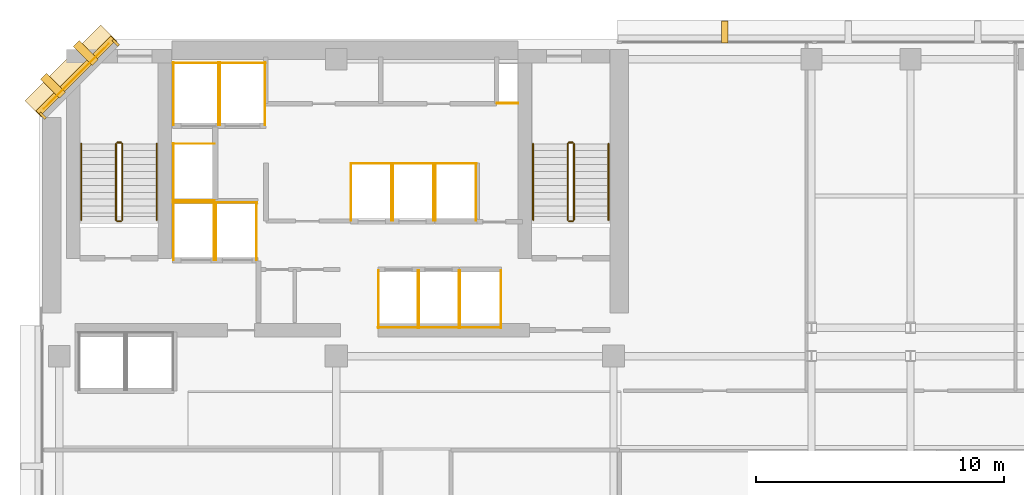
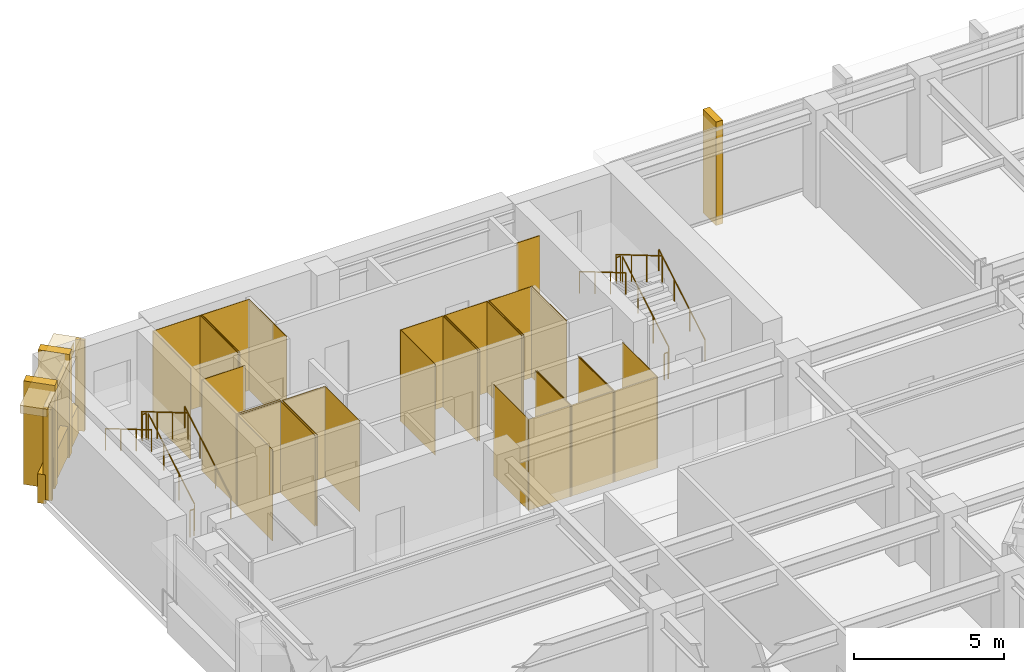
# One storey, part 10 of 11: 42 coverings, 12 railings.
"""IFC4 building model written with IfcOpenShell, lengths in metres."""

import ifcopenshell
import ifcopenshell.guid

model = None  # the IFC model being written
_history = None  # IfcOwnerHistory: only IFC2X3 demands one
_inside = {}  # id of a spatial element -> (the spatial element, [elements in it])
_under = {}  # id of a project, library or spatial element -> (it, [spatial elements below it])
_declared = {}  # id of a project -> (the project, [libraries it declares])
_typed = {}  # id of a type object -> (the type object, [elements of that type])
_made_of = {}  # id of a material, layer set ... -> (it, [elements and type objects made of it])


def new_model(schema):
    """Start an empty IFC model of exactly this schema.

    Asked for "IFC4X3", IfcOpenShell would pick the latest addendum, in which some entities
    have other attributes; the version numbers below select the first issue.
    IFC2X3 requires an IfcOwnerHistory on every rooted entity: one is made here for all.
    """
    global model, _history
    if schema == "IFC4X3":
        model = ifcopenshell.file(schema_version=(4, 3, 0, 0))
    else:
        model = ifcopenshell.file(schema=schema)
    _inside.clear()
    _under.clear()
    _declared.clear()
    _typed.clear()
    _made_of.clear()
    _history = None
    if model.schema == "IFC2X3":
        org = make("IfcOrganization", Name="unknown")
        user = make(
            "IfcPersonAndOrganization",
            ThePerson=make("IfcPerson", FamilyName="unknown"),
            TheOrganization=org,
        )
        app = make(
            "IfcApplication",
            ApplicationDeveloper=org,
            Version="unknown",
            ApplicationFullName="unknown",
            ApplicationIdentifier="unknown",
        )
        _history = make(
            "IfcOwnerHistory",
            OwningUser=user,
            OwningApplication=app,
            ChangeAction="ADDED",
            CreationDate=0,
        )
    return model


def make(cls, **values):
    """One entity of the class cls with the attributes given. An attribute that is None is left unset."""
    return model.create_entity(
        cls, **{name: value for name, value in values.items() if value is not None}
    )


def rooted(cls, **values):
    """An entity with a GlobalId (a new one), such as an element, a storey or a relation."""
    return make(cls, GlobalId=ifcopenshell.guid.new(), OwnerHistory=_history, **values)


def si_unit(unit_type, name, prefix=None):
    """IfcSIUnit, for example si_unit("LENGTHUNIT", "METRE", prefix="MILLI")."""
    return make("IfcSIUnit", UnitType=unit_type, Prefix=prefix, Name=name)


def assignment(units):
    """IfcUnitAssignment: the units of a project."""
    return None if units is None else make("IfcUnitAssignment", Units=units)


def point(xyz):
    """IfcCartesianPoint."""
    return None if xyz is None else make("IfcCartesianPoint", Coordinates=xyz)


def direction(xyz):
    """IfcDirection."""
    return None if xyz is None else make("IfcDirection", DirectionRatios=xyz)


def frame(location, z_axis=None, x_axis=None):
    """IfcAxis2Placement3D, a coordinate frame: its origin and axes. An axis left out is left unset."""
    return make(
        "IfcAxis2Placement3D",
        Location=point(location),
        Axis=direction(z_axis),
        RefDirection=direction(x_axis),
    )


def frame_2d(location, x_axis=None):
    """IfcAxis2Placement2D, a coordinate frame in the plane: its origin and x axis."""
    return make(
        "IfcAxis2Placement2D", Location=point(location), RefDirection=direction(x_axis)
    )


def origin():
    """The frame at (0, 0, 0) with its axes left unset."""
    return frame((0.0, 0.0, 0.0))


def origin_2d():
    """The frame at (0, 0) in the plane with its x axis left unset."""
    return frame_2d((0.0, 0.0))


def place(relative_to, where):
    """IfcLocalPlacement: puts the frame where relative to a parent placement (None: the world)."""
    return make(
        "IfcLocalPlacement", PlacementRelTo=relative_to, RelativePlacement=where
    )


def context(
    kind, dimensions, precision=None, world=None, true_north=None, identifier=None
):
    """IfcGeometricRepresentationContext, for example the 3D "Model" context."""
    return make(
        "IfcGeometricRepresentationContext",
        ContextIdentifier=identifier,
        ContextType=kind,
        CoordinateSpaceDimension=dimensions,
        Precision=precision,
        WorldCoordinateSystem=world,
        TrueNorth=true_north,
    )


def subcontext(parent, identifier, kind, view, scale=None):
    """IfcGeometricRepresentationSubContext, for example "Body" below "Model"."""
    return make(
        "IfcGeometricRepresentationSubContext",
        ContextIdentifier=identifier,
        ContextType=kind,
        ParentContext=parent,
        TargetScale=scale,
        TargetView=view,
    )


def project(units=None, contexts=None):
    """IfcProject with its units and contexts."""
    return rooted(
        "IfcProject",
        Name="project",
        RepresentationContexts=contexts,
        UnitsInContext=assignment(units),
    )


def spatial(cls, under=None, at=None, **own):
    """A site, building, storey or space (cls), placed at a placement, below another one or the project."""
    s = rooted(cls, ObjectPlacement=at, **own)
    if under is not None:
        _under.setdefault(under.id(), (under, []))[1].append(s)
    return s


def polyline(points):
    """IfcPolyline through the points."""
    return make("IfcPolyline", Points=[point(p) for p in points])


def profile(cls, at=None, kind="AREA", **sizes):
    """A parametric profile (cls). Its sizes go by their IFC names, for example OverallWidth=200.0."""
    return make(cls, ProfileType=kind, Position=at, **sizes)


def rectangle(**sizes):
    """IfcRectangleProfileDef."""
    return profile("IfcRectangleProfileDef", **sizes)


def circle(**sizes):
    """IfcCircleProfileDef."""
    return profile("IfcCircleProfileDef", **sizes)


def outline(outer, holes=None, kind="AREA"):
    """IfcArbitraryClosedProfileDef: a profile drawn as a closed curve; with holes, ...WithVoids."""
    if holes is None:
        return make("IfcArbitraryClosedProfileDef", ProfileType=kind, OuterCurve=outer)
    return make(
        "IfcArbitraryProfileDefWithVoids",
        ProfileType=kind,
        OuterCurve=outer,
        InnerCurves=holes,
    )


def extrude(swept, where, along, depth):
    """IfcExtrudedAreaSolid: the profile swept, set in the frame where, extruded along a direction by depth."""
    return make(
        "IfcExtrudedAreaSolid",
        SweptArea=swept,
        Position=where,
        ExtrudedDirection=direction(along),
        Depth=depth,
    )


def shape(context_of_items, identifier, shape_type, items):
    """IfcShapeRepresentation: the items that make up one representation, for example the "Body"."""
    return make(
        "IfcShapeRepresentation",
        ContextOfItems=context_of_items,
        RepresentationIdentifier=identifier,
        RepresentationType=shape_type,
        Items=items,
    )


def material(Name=None, Category=None):
    """IfcMaterial."""
    return make("IfcMaterial", Name=Name, Category=Category)


def layer(
    of_material, thickness, ventilated=None, Name=None, Category=None, Priority=None
):
    """IfcMaterialLayer: one layer of a wall or slab, of a material (None: an air gap)."""
    return make(
        "IfcMaterialLayer",
        Material=of_material,
        LayerThickness=thickness,
        IsVentilated=ventilated,
        Name=Name,
        Category=Category,
        Priority=Priority,
    )


def layer_set(layers, Name=None):
    """IfcMaterialLayerSet."""
    return make("IfcMaterialLayerSet", MaterialLayers=layers, LayerSetName=Name)


def made_of(thing, what):
    """Note that an element or type object is made of a material, layer set ...; save() writes the relation."""
    if what is not None:
        _made_of.setdefault(what.id(), (what, []))[1].append(thing)
    return thing


def type_object(cls, material=None, **own):
    """A type object (cls), such as IfcWallType, which elements share."""
    return made_of(rooted(cls, **own), material)


def element(
    cls,
    number,
    at=None,
    inside=None,
    cuts=None,
    type_object=None,
    material=None,
    context=None,
    identifier="Body",
    shape_type=None,
    held_by="IfcProductDefinitionShape",
    body=None,
    shapes=None,
    **own,
):
    """One element of the class cls, such as IfcWall. Its Tag is "e" and its number.

    at: its placement. inside: the storey or other place that contains it. cuts: it is an
    opening in that element (IfcRelVoidsElement). A single representation is given by context,
    identifier, shape_type and body (its items); several are given by shapes. held_by: the class
    of the entity that holds the representations. save() writes the other relations.
    """
    e = rooted(cls, Tag="e%d" % number, ObjectPlacement=at, **own)
    if body is not None:
        shapes = [shape(context, identifier, shape_type, body)]
    if shapes is not None:
        e.Representation = make(held_by, Representations=shapes)
    if inside is not None:
        _inside.setdefault(inside.id(), (inside, []))[1].append(e)
    if cuts is not None:
        rooted(
            "IfcRelVoidsElement", RelatingBuildingElement=cuts, RelatedOpeningElement=e
        )
    if type_object is not None:
        _typed.setdefault(type_object.id(), (type_object, []))[1].append(e)
    return made_of(e, material)


def aggregate(whole, parts):
    """IfcRelAggregates: a whole, such as a stair, and the parts it consists of."""
    return rooted("IfcRelAggregates", RelatingObject=whole, RelatedObjects=parts)


def save(model, path):
    """Write the relations noted so far, then the file.

    IfcRelAggregates (storeys below a building ...), IfcRelContainedInSpatialStructure (elements
    in a storey), IfcRelDefinesByType, IfcRelAssociatesMaterial and IfcRelDeclares: one each for
    every whole, place, type object, material and project.
    """
    for whole, parts in _under.values():
        aggregate(whole, parts)
    for where, things in _inside.values():
        rooted(
            "IfcRelContainedInSpatialStructure",
            RelatedElements=things,
            RelatingStructure=where,
        )
    for kind, things in _typed.values():
        rooted("IfcRelDefinesByType", RelatedObjects=things, RelatingType=kind)
    for what, things in _made_of.values():
        rooted("IfcRelAssociatesMaterial", RelatedObjects=things, RelatingMaterial=what)
    for by, libraries in _declared.values():
        rooted("IfcRelDeclares", RelatingContext=by, RelatedDefinitions=libraries)
    model.write(path)


model = new_model("IFC4")

# Units and contexts
model_context = context("Model", 3, precision=1e-05, world=origin(), true_north=direction((0.0, 1.0)))
body_context = subcontext(model_context, "Body", "Model", "MODEL_VIEW")
ifc_project = project(units=[si_unit("LENGTHUNIT", "METRE"), si_unit("AREAUNIT", "SQUARE_METRE"), si_unit("VOLUMEUNIT", "CUBIC_METRE"), si_unit("PLANEANGLEUNIT", "RADIAN"), si_unit("MASSUNIT", "GRAM", prefix="KILO")], contexts=[model_context])

# Site, building, storey
site_placement = place(None, origin())
site = spatial("IfcSite", under=ifc_project, at=site_placement, CompositionType="ELEMENT")
building_placement = place(site_placement, origin())
building = spatial("IfcBuilding", under=site, at=building_placement, Name="Kefirva Bronze Tower", CompositionType="ELEMENT")
storey_placement = place(building_placement, frame((0.0, 0.0, 162.68994140625)))
storey = spatial("IfcBuildingStorey", under=building, at=storey_placement, Name="L39", CompositionType="ELEMENT", Elevation=162.68994140625)

# Coverings
ifc_material_1 = material(Name="Bronze anodised aluminium", Category="aluminium")
ifc_layer_1 = layer(ifc_material_1, 0.02001953125, Name="Bronze anodised aluminium")
ifc_layer_set_1 = layer_set([ifc_layer_1], Name="Bronze anodised aluminium")
covering_type_1 = type_object("IfcCoveringType", Name="Anodised Bronze Spandrel Cladding 20mm", PredefinedType="CLADDING", material=ifc_layer_set_1)
covering_1_placement = place(storey_placement, frame((1.492919921875, 44.507080078125, 3.2900390625), z_axis=(0.0, 0.0, 1.0), x_axis=(-0.707106781187, -0.707106781187, 0.0)))
element("IfcCovering", 1, at=covering_1_placement, inside=storey, type_object=covering_type_1, Name="L39 Bronze Spandrel Cladding 8", PredefinedType="CLADDING", context=body_context, shape_type="SweptSolid", body=[
    extrude(rectangle(XDim=3.719482421875, YDim=0.02001953125, at=origin_2d()), origin(), (0.0, 0.0, 1.0), 0.39990234375),
])
for number, where, z_axis, x_axis, name in (
    (2, (3.08837890625, 45.862060546875, 0.0), (0.0, 0.0, 1.0), (-0.707106781187, -0.707106781187, 0.0), "L39 Facade Joint Closure Panel 8S"),
    (3, (0.137939453125, 42.91162109375, 0.0), (0.0, 0.0, 1.0), (-0.707106781187, -0.707106781187, 0.0), "L39 Facade Joint Closure Panel 8E"),
):
    element("IfcCovering", number, at=place(storey_placement, frame(where, z_axis=z_axis, x_axis=x_axis)), inside=storey, type_object=covering_type_1, Name=name, PredefinedType="CLADDING", context=body_context, shape_type="SweptSolid", body=[
        extrude(rectangle(XDim=0.10009765625, YDim=0.320068359375, at=origin_2d()), origin(), (0.0, 0.0, 1.0), 3.7099609375),
    ])
covering_2_placement = place(storey_placement, frame((1.4716796875, 44.5283203125, -0.15966796875), z_axis=(0.0, 0.0, 1.0), x_axis=(-0.707106781187, -0.707106781187, 0.0)))
element("IfcCovering", 4, at=covering_2_placement, inside=storey, type_object=covering_type_1, Name="L39 Streamline Horizontal Spandrel Band 13", PredefinedType="CLADDING", context=body_context, shape_type="SweptSolid", body=[
    extrude(rectangle(XDim=4.28271484375, YDim=0.280029296875, at=origin_2d()), origin(), (0.0, 0.0, 1.0), 1.179931640625),
])
covering_3_placement = place(storey_placement, origin())
element("IfcCovering", 5, at=covering_3_placement, inside=storey, type_object=covering_type_1, Name="L39 Lift FF1 Hoistway Liner N", PredefinedType="CLADDING", context=body_context, shape_type="SweptSolid", body=[
    extrude(outline(polyline([(5.39990234375, 39.389892578125), (7.080078125, 39.389892578125), (7.080078125, 39.409912109375), (5.39990234375, 39.409912109375), (5.39990234375, 39.389892578125)])), origin(), (0.0, 0.0, 1.0), 3.7099609375),
])
covering_4_placement = place(storey_placement, origin())
element("IfcCovering", 6, at=covering_4_placement, inside=storey, type_object=covering_type_1, Name="L39 Lift FF1 Hoistway Liner W", PredefinedType="CLADDING", context=body_context, shape_type="SweptSolid", body=[
    extrude(outline(polyline([(5.409912109375, 37.080078125), (5.429931640625, 37.080078125), (5.429931640625, 39.419921875), (5.409912109375, 39.419921875), (5.409912109375, 37.080078125)])), origin(), (0.0, 0.0, 1.0), 3.7099609375),
])
covering_5_placement = place(storey_placement, origin())
element("IfcCovering", 7, at=covering_5_placement, inside=storey, type_object=covering_type_1, Name="L39 Lift FF1 Hoistway Liner E", PredefinedType="CLADDING", context=body_context, shape_type="SweptSolid", body=[
    extrude(outline(polyline([(7.050048828125, 37.080078125), (7.070068359375, 37.080078125), (7.070068359375, 39.419921875), (7.050048828125, 39.419921875), (7.050048828125, 37.080078125)])), origin(), (0.0, 0.0, 1.0), 3.7099609375),
])
covering_6_placement = place(storey_placement, origin())
element("IfcCovering", 8, at=covering_6_placement, inside=storey, type_object=covering_type_1, Name="L39 Lift FF2 Hoistway Liner N", PredefinedType="CLADDING", context=body_context, shape_type="SweptSolid", body=[
    extrude(outline(polyline([(7.1201171875, 39.389892578125), (8.800048828125, 39.389892578125), (8.800048828125, 39.409912109375), (7.1201171875, 39.409912109375), (7.1201171875, 39.389892578125)])), origin(), (0.0, 0.0, 1.0), 3.7099609375),
])
covering_7_placement = place(storey_placement, origin())
element("IfcCovering", 9, at=covering_7_placement, inside=storey, type_object=covering_type_1, Name="L39 Lift FF2 Hoistway Liner W", PredefinedType="CLADDING", context=body_context, shape_type="SweptSolid", body=[
    extrude(outline(polyline([(7.1298828125, 37.080078125), (7.14990234375, 37.080078125), (7.14990234375, 39.419921875), (7.1298828125, 39.419921875), (7.1298828125, 37.080078125)])), origin(), (0.0, 0.0, 1.0), 3.7099609375),
])
covering_8_placement = place(storey_placement, origin())
element("IfcCovering", 10, at=covering_8_placement, inside=storey, type_object=covering_type_1, Name="L39 Lift FF2 Hoistway Liner E", PredefinedType="CLADDING", context=body_context, shape_type="SweptSolid", body=[
    extrude(outline(polyline([(8.77001953125, 37.080078125), (8.7900390625, 37.080078125), (8.7900390625, 39.419921875), (8.77001953125, 39.419921875), (8.77001953125, 37.080078125)])), origin(), (0.0, 0.0, 1.0), 3.7099609375),
])
covering_9_placement = place(storey_placement, origin())
element("IfcCovering", 11, at=covering_9_placement, inside=storey, type_object=covering_type_1, Name="L39 Lift SV1 Hoistway Liner N", PredefinedType="CLADDING", context=body_context, shape_type="SweptSolid", body=[
    extrude(outline(polyline([(5.39990234375, 45.0400390625), (7.260009765625, 45.0400390625), (7.260009765625, 45.06005859375), (5.39990234375, 45.06005859375), (5.39990234375, 45.0400390625)])), origin(), (0.0, 0.0, 1.0), 3.7099609375),
])
covering_10_placement = place(storey_placement, origin())
element("IfcCovering", 12, at=covering_10_placement, inside=storey, type_object=covering_type_1, Name="L39 Lift SV1 Hoistway Liner W", PredefinedType="CLADDING", context=body_context, shape_type="SweptSolid", body=[
    extrude(outline(polyline([(5.409912109375, 42.530029296875), (5.429931640625, 42.530029296875), (5.429931640625, 45.070068359375), (5.409912109375, 45.070068359375), (5.409912109375, 42.530029296875)])), origin(), (0.0, 0.0, 1.0), 3.7099609375),
])
covering_11_placement = place(storey_placement, origin())
element("IfcCovering", 13, at=covering_11_placement, inside=storey, type_object=covering_type_1, Name="L39 Lift SV1 Hoistway Liner E", PredefinedType="CLADDING", context=body_context, shape_type="SweptSolid", body=[
    extrude(outline(polyline([(7.22998046875, 42.530029296875), (7.25, 42.530029296875), (7.25, 45.070068359375), (7.22998046875, 45.070068359375), (7.22998046875, 42.530029296875)])), origin(), (0.0, 0.0, 1.0), 3.7099609375),
])
covering_12_placement = place(storey_placement, origin())
element("IfcCovering", 14, at=covering_12_placement, inside=storey, type_object=covering_type_1, Name="L39 Lift SV2 Hoistway Liner N", PredefinedType="CLADDING", context=body_context, shape_type="SweptSolid", body=[
    extrude(outline(polyline([(7.280029296875, 45.0400390625), (9.139892578125, 45.0400390625), (9.139892578125, 45.06005859375), (7.280029296875, 45.06005859375), (7.280029296875, 45.0400390625)])), origin(), (0.0, 0.0, 1.0), 3.7099609375),
])
covering_13_placement = place(storey_placement, origin())
element("IfcCovering", 15, at=covering_13_placement, inside=storey, type_object=covering_type_1, Name="L39 Lift SV2 Hoistway Liner W", PredefinedType="CLADDING", context=body_context, shape_type="SweptSolid", body=[
    extrude(outline(polyline([(7.2900390625, 42.530029296875), (7.31005859375, 42.530029296875), (7.31005859375, 45.070068359375), (7.2900390625, 45.070068359375), (7.2900390625, 42.530029296875)])), origin(), (0.0, 0.0, 1.0), 3.7099609375),
])
covering_14_placement = place(storey_placement, origin())
element("IfcCovering", 16, at=covering_14_placement, inside=storey, type_object=covering_type_1, Name="L39 Lift SV2 Hoistway Liner E", PredefinedType="CLADDING", context=body_context, shape_type="SweptSolid", body=[
    extrude(outline(polyline([(9.110107421875, 42.530029296875), (9.1298828125, 42.530029296875), (9.1298828125, 45.070068359375), (9.110107421875, 45.070068359375), (9.110107421875, 42.530029296875)])), origin(), (0.0, 0.0, 1.0), 3.7099609375),
])
covering_15_placement = place(storey_placement, origin())
element("IfcCovering", 17, at=covering_15_placement, inside=storey, type_object=covering_type_1, Name="L39 Lift MP1 Hoistway Liner S", PredefinedType="CLADDING", context=body_context, shape_type="SweptSolid", body=[
    extrude(outline(polyline([(13.679931640625, 34.340087890625), (15.320068359375, 34.340087890625), (15.320068359375, 34.360107421875), (13.679931640625, 34.360107421875), (13.679931640625, 34.340087890625)])), origin(), (0.0, 0.0, 1.0), 3.7099609375),
])
covering_16_placement = place(storey_placement, origin())
element("IfcCovering", 18, at=covering_16_placement, inside=storey, type_object=covering_type_1, Name="L39 Lift MP1 Hoistway Liner W", PredefinedType="CLADDING", context=body_context, shape_type="SweptSolid", body=[
    extrude(outline(polyline([(13.68994140625, 34.330078125), (13.7099609375, 34.330078125), (13.7099609375, 36.669921875), (13.68994140625, 36.669921875), (13.68994140625, 34.330078125)])), origin(), (0.0, 0.0, 1.0), 3.7099609375),
])
covering_17_placement = place(storey_placement, origin())
element("IfcCovering", 19, at=covering_17_placement, inside=storey, type_object=covering_type_1, Name="L39 Lift MP1 Hoistway Liner E", PredefinedType="CLADDING", context=body_context, shape_type="SweptSolid", body=[
    extrude(outline(polyline([(15.2900390625, 34.330078125), (15.31005859375, 34.330078125), (15.31005859375, 36.669921875), (15.2900390625, 36.669921875), (15.2900390625, 34.330078125)])), origin(), (0.0, 0.0, 1.0), 3.7099609375),
])
covering_18_placement = place(storey_placement, origin())
element("IfcCovering", 20, at=covering_18_placement, inside=storey, type_object=covering_type_1, Name="L39 Lift MP2 Hoistway Liner S", PredefinedType="CLADDING", context=body_context, shape_type="SweptSolid", body=[
    extrude(outline(polyline([(15.330078125, 34.340087890625), (16.969970703125, 34.340087890625), (16.969970703125, 34.360107421875), (15.330078125, 34.360107421875), (15.330078125, 34.340087890625)])), origin(), (0.0, 0.0, 1.0), 3.7099609375),
])
covering_19_placement = place(storey_placement, origin())
element("IfcCovering", 21, at=covering_19_placement, inside=storey, type_object=covering_type_1, Name="L39 Lift MP2 Hoistway Liner W", PredefinedType="CLADDING", context=body_context, shape_type="SweptSolid", body=[
    extrude(outline(polyline([(15.340087890625, 34.330078125), (15.360107421875, 34.330078125), (15.360107421875, 36.669921875), (15.340087890625, 36.669921875), (15.340087890625, 34.330078125)])), origin(), (0.0, 0.0, 1.0), 3.7099609375),
])
covering_20_placement = place(storey_placement, origin())
element("IfcCovering", 22, at=covering_20_placement, inside=storey, type_object=covering_type_1, Name="L39 Lift MP2 Hoistway Liner E", PredefinedType="CLADDING", context=body_context, shape_type="SweptSolid", body=[
    extrude(outline(polyline([(16.93994140625, 34.330078125), (16.9599609375, 34.330078125), (16.9599609375, 36.669921875), (16.93994140625, 36.669921875), (16.93994140625, 34.330078125)])), origin(), (0.0, 0.0, 1.0), 3.7099609375),
])
covering_21_placement = place(storey_placement, origin())
element("IfcCovering", 23, at=covering_21_placement, inside=storey, type_object=covering_type_1, Name="L39 Lift MP3 Hoistway Liner N", PredefinedType="CLADDING", context=body_context, shape_type="SweptSolid", body=[
    extrude(outline(polyline([(12.580078125, 40.969970703125), (14.25, 40.969970703125), (14.25, 40.989990234375), (12.580078125, 40.989990234375), (12.580078125, 40.969970703125)])), origin(), (0.0, 0.0, 1.0), 3.7099609375),
])
covering_22_placement = place(storey_placement, origin())
element("IfcCovering", 24, at=covering_22_placement, inside=storey, type_object=covering_type_1, Name="L39 Lift MP3 Hoistway Liner W", PredefinedType="CLADDING", context=body_context, shape_type="SweptSolid", body=[
    extrude(outline(polyline([(12.590087890625, 38.659912109375), (12.610107421875, 38.659912109375), (12.610107421875, 41.0), (12.590087890625, 41.0), (12.590087890625, 38.659912109375)])), origin(), (0.0, 0.0, 1.0), 3.7099609375),
])
covering_23_placement = place(storey_placement, origin())
element("IfcCovering", 25, at=covering_23_placement, inside=storey, type_object=covering_type_1, Name="L39 Lift MP3 Hoistway Liner E", PredefinedType="CLADDING", context=body_context, shape_type="SweptSolid", body=[
    extrude(outline(polyline([(14.219970703125, 38.659912109375), (14.239990234375, 38.659912109375), (14.239990234375, 41.0), (14.219970703125, 41.0), (14.219970703125, 38.659912109375)])), origin(), (0.0, 0.0, 1.0), 3.7099609375),
])
covering_24_placement = place(storey_placement, origin())
element("IfcCovering", 26, at=covering_24_placement, inside=storey, type_object=covering_type_1, Name="L39 Lift MP4 Hoistway Liner N", PredefinedType="CLADDING", context=body_context, shape_type="SweptSolid", body=[
    extrude(outline(polyline([(14.280029296875, 40.969970703125), (15.949951171875, 40.969970703125), (15.949951171875, 40.989990234375), (14.280029296875, 40.989990234375), (14.280029296875, 40.969970703125)])), origin(), (0.0, 0.0, 1.0), 3.7099609375),
])
covering_25_placement = place(storey_placement, origin())
element("IfcCovering", 27, at=covering_25_placement, inside=storey, type_object=covering_type_1, Name="L39 Lift MP4 Hoistway Liner W", PredefinedType="CLADDING", context=body_context, shape_type="SweptSolid", body=[
    extrude(outline(polyline([(14.2900390625, 38.659912109375), (14.31005859375, 38.659912109375), (14.31005859375, 41.0), (14.2900390625, 41.0), (14.2900390625, 38.659912109375)])), origin(), (0.0, 0.0, 1.0), 3.7099609375),
])
covering_26_placement = place(storey_placement, origin())
element("IfcCovering", 28, at=covering_26_placement, inside=storey, type_object=covering_type_1, Name="L39 Lift MP4 Hoistway Liner E", PredefinedType="CLADDING", context=body_context, shape_type="SweptSolid", body=[
    extrude(outline(polyline([(15.919921875, 38.659912109375), (15.93994140625, 38.659912109375), (15.93994140625, 41.0), (15.919921875, 41.0), (15.919921875, 38.659912109375)])), origin(), (0.0, 0.0, 1.0), 3.7099609375),
])
covering_27_placement = place(storey_placement, origin())
element("IfcCovering", 29, at=covering_27_placement, inside=storey, type_object=covering_type_1, Name="L39 Lift HP1 Hoistway Liner S", PredefinedType="CLADDING", context=body_context, shape_type="SweptSolid", body=[
    extrude(outline(polyline([(16.97998046875, 34.340087890625), (18.669921875, 34.340087890625), (18.669921875, 34.360107421875), (16.97998046875, 34.360107421875), (16.97998046875, 34.340087890625)])), origin(), (0.0, 0.0, 1.0), 3.7099609375),
])
covering_28_placement = place(storey_placement, origin())
element("IfcCovering", 30, at=covering_28_placement, inside=storey, type_object=covering_type_1, Name="L39 Lift HP1 Hoistway Liner W", PredefinedType="CLADDING", context=body_context, shape_type="SweptSolid", body=[
    extrude(outline(polyline([(16.989990234375, 34.330078125), (17.010009765625, 34.330078125), (17.010009765625, 36.669921875), (16.989990234375, 36.669921875), (16.989990234375, 34.330078125)])), origin(), (0.0, 0.0, 1.0), 3.7099609375),
])
covering_29_placement = place(storey_placement, origin())
element("IfcCovering", 31, at=covering_29_placement, inside=storey, type_object=covering_type_1, Name="L39 Lift HP1 Hoistway Liner E", PredefinedType="CLADDING", context=body_context, shape_type="SweptSolid", body=[
    extrude(outline(polyline([(18.639892578125, 34.330078125), (18.659912109375, 34.330078125), (18.659912109375, 36.669921875), (18.639892578125, 36.669921875), (18.639892578125, 34.330078125)])), origin(), (0.0, 0.0, 1.0), 3.7099609375),
])
covering_30_placement = place(storey_placement, origin())
element("IfcCovering", 32, at=covering_30_placement, inside=storey, type_object=covering_type_1, Name="L39 Lift HP2 Hoistway Liner N", PredefinedType="CLADDING", context=body_context, shape_type="SweptSolid", body=[
    extrude(outline(polyline([(15.97998046875, 40.969970703125), (17.669921875, 40.969970703125), (17.669921875, 40.989990234375), (15.97998046875, 40.989990234375), (15.97998046875, 40.969970703125)])), origin(), (0.0, 0.0, 1.0), 3.7099609375),
])
covering_31_placement = place(storey_placement, origin())
element("IfcCovering", 33, at=covering_31_placement, inside=storey, type_object=covering_type_1, Name="L39 Lift HP2 Hoistway Liner W", PredefinedType="CLADDING", context=body_context, shape_type="SweptSolid", body=[
    extrude(outline(polyline([(15.989990234375, 38.659912109375), (16.010009765625, 38.659912109375), (16.010009765625, 41.0), (15.989990234375, 41.0), (15.989990234375, 38.659912109375)])), origin(), (0.0, 0.0, 1.0), 3.7099609375),
])
covering_32_placement = place(storey_placement, origin())
element("IfcCovering", 34, at=covering_32_placement, inside=storey, type_object=covering_type_1, Name="L39 Lift HP2 Hoistway Liner E", PredefinedType="CLADDING", context=body_context, shape_type="SweptSolid", body=[
    extrude(outline(polyline([(17.639892578125, 38.659912109375), (17.659912109375, 38.659912109375), (17.659912109375, 41.0), (17.639892578125, 41.0), (17.639892578125, 38.659912109375)])), origin(), (0.0, 0.0, 1.0), 3.7099609375),
])
covering_33_placement = place(storey_placement, origin())
element("IfcCovering", 35, at=covering_33_placement, inside=storey, type_object=covering_type_1, Name="L39 Lift HP3 Hoistway Liner N", PredefinedType="CLADDING", context=body_context, shape_type="SweptSolid", body=[
    extrude(outline(polyline([(5.39990234375, 41.77001953125), (7.080078125, 41.77001953125), (7.080078125, 41.7900390625), (5.39990234375, 41.7900390625), (5.39990234375, 41.77001953125)])), origin(), (0.0, 0.0, 1.0), 3.7099609375),
])
covering_34_placement = place(storey_placement, origin())
element("IfcCovering", 36, at=covering_34_placement, inside=storey, type_object=covering_type_1, Name="L39 Lift HP3 Hoistway Liner S", PredefinedType="CLADDING", context=body_context, shape_type="SweptSolid", body=[
    extrude(outline(polyline([(5.39990234375, 39.469970703125), (7.080078125, 39.469970703125), (7.080078125, 39.489990234375), (5.39990234375, 39.489990234375), (5.39990234375, 39.469970703125)])), origin(), (0.0, 0.0, 1.0), 3.7099609375),
])
covering_35_placement = place(storey_placement, origin())
element("IfcCovering", 37, at=covering_35_placement, inside=storey, type_object=covering_type_1, Name="L39 Lift HP3 Hoistway Liner W", PredefinedType="CLADDING", context=body_context, shape_type="SweptSolid", body=[
    extrude(outline(polyline([(5.409912109375, 39.4599609375), (5.429931640625, 39.4599609375), (5.429931640625, 41.800048828125), (5.409912109375, 41.800048828125), (5.409912109375, 39.4599609375)])), origin(), (0.0, 0.0, 1.0), 3.7099609375),
])
covering_36_placement = place(storey_placement, origin())
element("IfcCovering", 38, at=covering_36_placement, inside=storey, type_object=covering_type_1, Name="L39 Core MEP Riser Shaft Liner South", PredefinedType="CLADDING", context=body_context, shape_type="SweptSolid", body=[
    extrude(outline(polyline([(18.47998046875, 43.39990234375), (19.360107421875, 43.39990234375), (19.360107421875, 43.429931640625), (18.47998046875, 43.429931640625), (18.47998046875, 43.39990234375)])), origin(), (0.0, 0.0, 1.0), 3.7099609375),
])

# Railings
ifc_material_2 = material(Name="Stainless steel 316", Category="steel")
railing_type_1 = type_object("IfcRailingType", Name="Interior Stair Guardrail 1100mm", PredefinedType="GUARDRAIL", material=ifc_material_2)
railing_1_placement = place(storey_placement, frame((3.35009765625, 38.699951171875, 0.1650390625)))
element("IfcRailing", 39, at=railing_1_placement, inside=storey, type_object=railing_type_1, Name="L39 ST-1 stair guard 1", PredefinedType="GUARDRAIL", context=body_context, shape_type="SweptSolid", body=[
    extrude(circle(Radius=0.02392578125, at=origin_2d()), frame((0.0, 0.0, 1.076171875), z_axis=(0.0, 0.861551262678, 0.507670583921), x_axis=(-1.0, 0.0, 0.0)), (0.0, 0.0, 1.0), 3.574951171875),
    extrude(circle(Radius=0.02099609375, at=origin_2d()), origin(), (0.0, 0.0, 1.0), 1.052001953125),
    extrude(circle(Radius=0.02099609375, at=origin_2d()), frame((0.0, 1.026611328125, 0.60498046875)), (0.0, 0.0, 1.0), 1.052001953125),
    extrude(circle(Radius=0.02099609375, at=origin_2d()), frame((0.0, 2.053466796875, 1.2099609375)), (0.0, 0.0, 1.0), 1.052001953125),
    extrude(circle(Radius=0.02099609375, at=origin_2d()), frame((0.0, 3.080078125, 1.81494140625)), (0.0, 0.0, 1.0), 1.052001953125),
])
railing_2_placement = place(storey_placement, frame((3.300048828125, 41.830078125, 1.97998046875)))
element("IfcRailing", 40, at=railing_2_placement, inside=storey, type_object=railing_type_1, Name="L39 ST-1 stair guard 2", PredefinedType="GUARDRAIL", context=body_context, shape_type="SweptSolid", body=[
    extrude(circle(Radius=0.02392578125, at=origin_2d()), frame((0.0, 0.0, 1.076171875), z_axis=(-1.0, 0.0, 0.0), x_axis=(0.0, -1.0, 0.0)), (0.0, 0.0, 1.0), 0.150146484375),
    extrude(circle(Radius=0.02099609375, at=origin_2d()), origin(), (0.0, 0.0, 1.0), 1.052001953125),
    extrude(circle(Radius=0.02099609375, at=origin_2d()), frame((-0.150146484375, 0.0, 0.0)), (0.0, 0.0, 1.0), 1.052001953125),
])
railing_3_placement = place(storey_placement, frame((3.10009765625, 41.780029296875, 2.14501953125)))
element("IfcRailing", 41, at=railing_3_placement, inside=storey, type_object=railing_type_1, Name="L39 ST-1 stair guard 3", PredefinedType="GUARDRAIL", context=body_context, shape_type="SweptSolid", body=[
    extrude(circle(Radius=0.02392578125, at=origin_2d()), frame((0.0, 0.0, 1.076171875), z_axis=(0.0, -0.861551262678, 0.507670583921), x_axis=(1.0, 0.0, 0.0)), (0.0, 0.0, 1.0), 3.574951171875),
    extrude(circle(Radius=0.02099609375, at=origin_2d()), origin(), (0.0, 0.0, 1.0), 1.052001953125),
    extrude(circle(Radius=0.02099609375, at=origin_2d()), frame((0.0, -1.026611328125, 0.60498046875)), (0.0, 0.0, 1.0), 1.052001953125),
    extrude(circle(Radius=0.02099609375, at=origin_2d()), frame((0.0, -2.053466796875, 1.2099609375)), (0.0, 0.0, 1.0), 1.052001953125),
    extrude(circle(Radius=0.02099609375, at=origin_2d()), frame((0.0, -3.080078125, 1.81494140625)), (0.0, 0.0, 1.0), 1.052001953125),
])
railing_4_placement = place(storey_placement, frame((3.300048828125, 38.64990234375, 0.0)))
element("IfcRailing", 42, at=railing_4_placement, inside=storey, type_object=railing_type_1, Name="L39 ST-1 stair guard 4", PredefinedType="GUARDRAIL", context=body_context, shape_type="SweptSolid", body=[
    extrude(circle(Radius=0.02392578125, at=origin_2d()), frame((0.0, 0.0, 1.076171875), z_axis=(-1.0, 0.0, 0.0), x_axis=(0.0, -1.0, 0.0)), (0.0, 0.0, 1.0), 0.150146484375),
    extrude(circle(Radius=0.02099609375, at=origin_2d()), origin(), (0.0, 0.0, 1.0), 1.052001953125),
    extrude(circle(Radius=0.02099609375, at=origin_2d()), frame((-0.150146484375, 0.0, 0.0)), (0.0, 0.0, 1.0), 1.052001953125),
])
railing_5_placement = place(storey_placement, frame((21.60009765625, 38.699951171875, 0.1650390625)))
element("IfcRailing", 43, at=railing_5_placement, inside=storey, type_object=railing_type_1, Name="L39 ST-2 stair guard 1", PredefinedType="GUARDRAIL", context=body_context, shape_type="SweptSolid", body=[
    extrude(circle(Radius=0.02392578125, at=origin_2d()), frame((0.0, 0.0, 1.076171875), z_axis=(0.0, 0.861551262678, 0.507670583921), x_axis=(-1.0, 0.0, 0.0)), (0.0, 0.0, 1.0), 3.574951171875),
    extrude(circle(Radius=0.02099609375, at=origin_2d()), origin(), (0.0, 0.0, 1.0), 1.052001953125),
    extrude(circle(Radius=0.02099609375, at=origin_2d()), frame((0.0, 1.026611328125, 0.60498046875)), (0.0, 0.0, 1.0), 1.052001953125),
    extrude(circle(Radius=0.02099609375, at=origin_2d()), frame((0.0, 2.053466796875, 1.2099609375)), (0.0, 0.0, 1.0), 1.052001953125),
    extrude(circle(Radius=0.02099609375, at=origin_2d()), frame((0.0, 3.080078125, 1.81494140625)), (0.0, 0.0, 1.0), 1.052001953125),
])
railing_6_placement = place(storey_placement, frame((21.550048828125, 41.830078125, 1.97998046875)))
element("IfcRailing", 44, at=railing_6_placement, inside=storey, type_object=railing_type_1, Name="L39 ST-2 stair guard 2", PredefinedType="GUARDRAIL", context=body_context, shape_type="SweptSolid", body=[
    extrude(circle(Radius=0.02392578125, at=origin_2d()), frame((0.0, 0.0, 1.076171875), z_axis=(-1.0, 0.0, 0.0), x_axis=(0.0, -1.0, 0.0)), (0.0, 0.0, 1.0), 0.150146484375),
    extrude(circle(Radius=0.02099609375, at=origin_2d()), origin(), (0.0, 0.0, 1.0), 1.052001953125),
    extrude(circle(Radius=0.02099609375, at=origin_2d()), frame((-0.150146484375, 0.0, 0.0)), (0.0, 0.0, 1.0), 1.052001953125),
])
railing_7_placement = place(storey_placement, frame((21.35009765625, 41.780029296875, 2.14501953125)))
element("IfcRailing", 45, at=railing_7_placement, inside=storey, type_object=railing_type_1, Name="L39 ST-2 stair guard 3", PredefinedType="GUARDRAIL", context=body_context, shape_type="SweptSolid", body=[
    extrude(circle(Radius=0.02392578125, at=origin_2d()), frame((0.0, 0.0, 1.076171875), z_axis=(0.0, -0.861551262678, 0.507670583921), x_axis=(1.0, 0.0, 0.0)), (0.0, 0.0, 1.0), 3.574951171875),
    extrude(circle(Radius=0.02099609375, at=origin_2d()), origin(), (0.0, 0.0, 1.0), 1.052001953125),
    extrude(circle(Radius=0.02099609375, at=origin_2d()), frame((0.0, -1.026611328125, 0.60498046875)), (0.0, 0.0, 1.0), 1.052001953125),
    extrude(circle(Radius=0.02099609375, at=origin_2d()), frame((0.0, -2.053466796875, 1.2099609375)), (0.0, 0.0, 1.0), 1.052001953125),
    extrude(circle(Radius=0.02099609375, at=origin_2d()), frame((0.0, -3.080078125, 1.81494140625)), (0.0, 0.0, 1.0), 1.052001953125),
])
railing_8_placement = place(storey_placement, frame((21.550048828125, 38.64990234375, 0.0)))
element("IfcRailing", 46, at=railing_8_placement, inside=storey, type_object=railing_type_1, Name="L39 ST-2 stair guard 4", PredefinedType="GUARDRAIL", context=body_context, shape_type="SweptSolid", body=[
    extrude(circle(Radius=0.02392578125, at=origin_2d()), frame((0.0, 0.0, 1.076171875), z_axis=(-1.0, 0.0, 0.0), x_axis=(0.0, -1.0, 0.0)), (0.0, 0.0, 1.0), 0.150146484375),
    extrude(circle(Radius=0.02099609375, at=origin_2d()), origin(), (0.0, 0.0, 1.0), 1.052001953125),
    extrude(circle(Radius=0.02099609375, at=origin_2d()), frame((-0.150146484375, 0.0, 0.0)), (0.0, 0.0, 1.0), 1.052001953125),
])
railing_type_2 = type_object("IfcRailingType", Name="Stair Pitch Handrail 900mm", PredefinedType="HANDRAIL", material=ifc_material_2)
railing_9_placement = place(storey_placement, frame((4.75, 38.699951171875, 0.1650390625)))
element("IfcRailing", 47, at=railing_9_placement, inside=storey, type_object=railing_type_2, Name="L39 ST-1 stair handrail 1", PredefinedType="HANDRAIL", context=body_context, shape_type="SweptSolid", body=[
    extrude(circle(Radius=0.02392578125, at=origin_2d()), frame((0.0, 0.0, 0.8759765625), z_axis=(0.0, 0.861551262678, 0.507670583921), x_axis=(-1.0, 0.0, 0.0)), (0.0, 0.0, 1.0), 3.574951171875),
    extrude(circle(Radius=0.02099609375, at=origin_2d()), origin(), (0.0, 0.0, 1.0), 0.851806640625),
    extrude(circle(Radius=0.02099609375, at=origin_2d()), frame((0.0, 1.026611328125, 0.60498046875)), (0.0, 0.0, 1.0), 0.851806640625),
    extrude(circle(Radius=0.02099609375, at=origin_2d()), frame((0.0, 2.053466796875, 1.2099609375)), (0.0, 0.0, 1.0), 0.851806640625),
    extrude(circle(Radius=0.02099609375, at=origin_2d()), frame((0.0, 3.080078125, 1.81494140625)), (0.0, 0.0, 1.0), 0.851806640625),
])
railing_10_placement = place(storey_placement, frame((1.699951171875, 41.780029296875, 2.14501953125)))
element("IfcRailing", 48, at=railing_10_placement, inside=storey, type_object=railing_type_2, Name="L39 ST-1 stair handrail 2", PredefinedType="HANDRAIL", context=body_context, shape_type="SweptSolid", body=[
    extrude(circle(Radius=0.02392578125, at=origin_2d()), frame((0.0, 0.0, 0.8759765625), z_axis=(0.0, -0.861551262678, 0.507670583921), x_axis=(1.0, 0.0, 0.0)), (0.0, 0.0, 1.0), 3.574951171875),
    extrude(circle(Radius=0.02099609375, at=origin_2d()), origin(), (0.0, 0.0, 1.0), 0.851806640625),
    extrude(circle(Radius=0.02099609375, at=origin_2d()), frame((0.0, -1.026611328125, 0.60498046875)), (0.0, 0.0, 1.0), 0.851806640625),
    extrude(circle(Radius=0.02099609375, at=origin_2d()), frame((0.0, -2.053466796875, 1.2099609375)), (0.0, 0.0, 1.0), 0.851806640625),
    extrude(circle(Radius=0.02099609375, at=origin_2d()), frame((0.0, -3.080078125, 1.81494140625)), (0.0, 0.0, 1.0), 0.851806640625),
])
railing_11_placement = place(storey_placement, frame((23.0, 38.699951171875, 0.1650390625)))
element("IfcRailing", 49, at=railing_11_placement, inside=storey, type_object=railing_type_2, Name="L39 ST-2 stair handrail 1", PredefinedType="HANDRAIL", context=body_context, shape_type="SweptSolid", body=[
    extrude(circle(Radius=0.02392578125, at=origin_2d()), frame((0.0, 0.0, 0.8759765625), z_axis=(0.0, 0.861551262678, 0.507670583921), x_axis=(-1.0, 0.0, 0.0)), (0.0, 0.0, 1.0), 3.574951171875),
    extrude(circle(Radius=0.02099609375, at=origin_2d()), origin(), (0.0, 0.0, 1.0), 0.851806640625),
    extrude(circle(Radius=0.02099609375, at=origin_2d()), frame((0.0, 1.026611328125, 0.60498046875)), (0.0, 0.0, 1.0), 0.851806640625),
    extrude(circle(Radius=0.02099609375, at=origin_2d()), frame((0.0, 2.053466796875, 1.2099609375)), (0.0, 0.0, 1.0), 0.851806640625),
    extrude(circle(Radius=0.02099609375, at=origin_2d()), frame((0.0, 3.080078125, 1.81494140625)), (0.0, 0.0, 1.0), 0.851806640625),
])
railing_12_placement = place(storey_placement, frame((19.949951171875, 41.780029296875, 2.14501953125)))
element("IfcRailing", 50, at=railing_12_placement, inside=storey, type_object=railing_type_2, Name="L39 ST-2 stair handrail 2", PredefinedType="HANDRAIL", context=body_context, shape_type="SweptSolid", body=[
    extrude(circle(Radius=0.02392578125, at=origin_2d()), frame((0.0, 0.0, 0.8759765625), z_axis=(0.0, -0.861551262678, 0.507670583921), x_axis=(1.0, 0.0, 0.0)), (0.0, 0.0, 1.0), 3.574951171875),
    extrude(circle(Radius=0.02099609375, at=origin_2d()), origin(), (0.0, 0.0, 1.0), 0.851806640625),
    extrude(circle(Radius=0.02099609375, at=origin_2d()), frame((0.0, -1.026611328125, 0.60498046875)), (0.0, 0.0, 1.0), 0.851806640625),
    extrude(circle(Radius=0.02099609375, at=origin_2d()), frame((0.0, -2.053466796875, 1.2099609375)), (0.0, 0.0, 1.0), 0.851806640625),
    extrude(circle(Radius=0.02099609375, at=origin_2d()), frame((0.0, -3.080078125, 1.81494140625)), (0.0, 0.0, 1.0), 0.851806640625),
])

# Coverings
ifc_layer_2 = layer(ifc_material_1, 0.179931640625, Name="Bronze anodised aluminium")
ifc_layer_set_2 = layer_set([ifc_layer_2], Name="Bronze anodised aluminium")
covering_type_2 = type_object("IfcCoveringType", Name="Streamline Bronze Sunshade Eyebrow Cladding 180mm", PredefinedType="CLADDING", material=ifc_layer_set_2)
covering_37_placement = place(storey_placement, frame((1.28076171875, 44.71923828125, 3.39013671875), z_axis=(0.0, 0.0, 1.0), x_axis=(-0.707106781187, -0.707106781187, 0.0)))
element("IfcCovering", 51, at=covering_37_placement, inside=storey, type_object=covering_type_2, Name="L39 Streamline Bronze Sunshade Eyebrow 13", PredefinedType="CLADDING", context=body_context, shape_type="SweptSolid", body=[
    extrude(rectangle(XDim=4.322509765625, YDim=0.93994140625, at=origin_2d()), origin(), (0.0, 0.0, 1.0), 0.320068359375),
])
ifc_layer_3 = layer(ifc_material_1, 0.260009765625, Name="Bronze anodised aluminium")
ifc_layer_set_3 = layer_set([ifc_layer_3], Name="Bronze anodised aluminium")
covering_type_3 = type_object("IfcCoveringType", Name="Unbroken Bronze Buttress Fin Cladding 260mm", PredefinedType="CLADDING", material=ifc_layer_set_3)
covering_38_placement = place(storey_placement, frame((27.68798828125, 46.300048828125, -0.25), z_axis=(0.0, 0.0, 1.0), x_axis=(-1.0, 0.0, 0.0)))
element("IfcCovering", 52, at=covering_38_placement, inside=storey, type_object=covering_type_3, Name="L39 Unbroken Vertical Bronze Rib Fin 20", PredefinedType="CLADDING", context=body_context, shape_type="SweptSolid", body=[
    extrude(rectangle(XDim=0.260009765625, YDim=0.8798828125, at=origin_2d()), origin(), (0.0, 0.0, 1.0), 4.2099609375),
])
for number, where, z_axis, x_axis, name in (
    (53, (1.877197265625, 45.44287109375, -0.25), (0.0, 0.0, 1.0), (-0.707106781187, -0.707106781187, 0.0), "L39 Chamfered Corner Buttress Fin Cladding 21"),
    (54, (0.55712890625, 44.122802734375, -0.25), (0.0, 0.0, 1.0), (-0.707106781187, -0.707106781187, 0.0), "L39 Chamfered Corner Buttress Fin Cladding 22"),
):
    element("IfcCovering", number, at=place(storey_placement, frame(where, z_axis=z_axis, x_axis=x_axis)), inside=storey, type_object=covering_type_3, Name=name, PredefinedType="CLADDING", context=body_context, shape_type="SweptSolid", body=[
        extrude(rectangle(XDim=0.340087890625, YDim=1.080078125, at=origin_2d()), origin(), (0.0, 0.0, 1.0), 4.2099609375),
    ])

save(model, "model.ifc")
